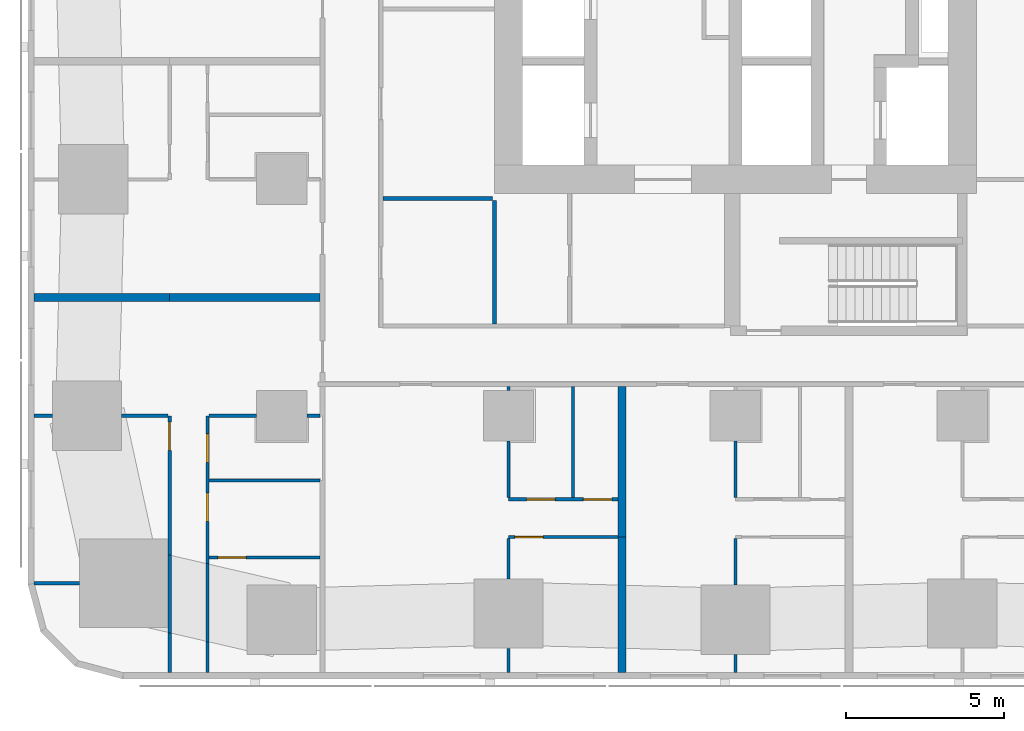
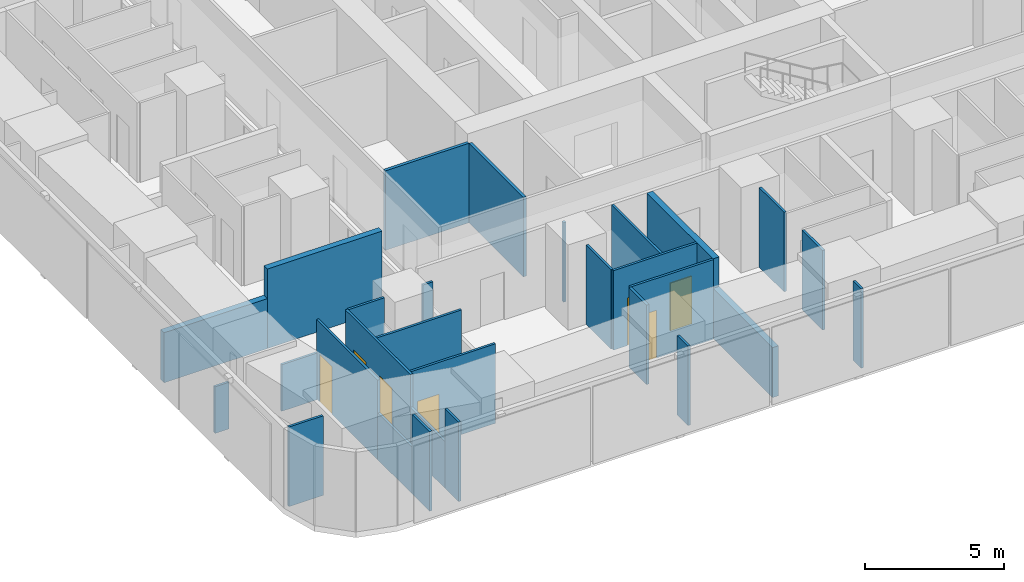
# One storey, part 2 of 16: 29 walls, 7 doors, 7 openings.
"""IFC4 building model written with IfcOpenShell, lengths in metres."""

from ifc_helpers import new_model, si_unit, direction, frame, frame_2d, origin, place, context, subcontext, project, spatial, rectangle, extrude, material, layer, layer_set, type_object, element, fill, save


model = new_model("IFC4")

# Units and contexts
model_context = context("Model", 3, precision=1e-05, world=origin(), true_north=direction((0.0, 1.0)))
body_context = subcontext(model_context, "Body", "Model", "MODEL_VIEW")
ifc_project = project(units=[si_unit("LENGTHUNIT", "METRE"), si_unit("AREAUNIT", "SQUARE_METRE"), si_unit("VOLUMEUNIT", "CUBIC_METRE"), si_unit("PLANEANGLEUNIT", "RADIAN"), si_unit("MASSUNIT", "GRAM", prefix="KILO")], contexts=[model_context])

# Site, building, storey
site_placement = place(None, origin())
site = spatial("IfcSite", under=ifc_project, at=site_placement, CompositionType="ELEMENT")
building_placement = place(site_placement, origin())
building = spatial("IfcBuilding", under=site, at=building_placement, Name="Sheger Commons Tower", CompositionType="ELEMENT")
storey_placement = place(building_placement, frame((0.0, 0.0, 89.14990234375)))
storey = spatial("IfcBuildingStorey", under=building, at=storey_placement, Name="L22", CompositionType="ELEMENT", Elevation=89.14990234375)

# Walls
ifc_material_1 = material(Name="Dense concrete block masonry, plastered both sides (separating wall between flats)", Category="masonry")
ifc_layer_1 = layer(ifc_material_1, 0.25)
ifc_layer_set_1 = layer_set([ifc_layer_1], Name="DEMISING WALL 250")
wall_type_1 = type_object("IfcWallType", Name="DEMISING WALL 250", PredefinedType="SOLIDWALL", material=ifc_layer_set_1)
wall_1_placement = place(storey_placement, frame((-0.64990234375, 11.25, 0.0), z_axis=(0.0, 0.0, 1.0), x_axis=(1.0, 0.0, 0.0)))
element("IfcWall", 1, at=wall_1_placement, inside=storey, type_object=wall_type_1, Name="Demising wall L22", PredefinedType="SOLIDWALL", context=body_context, shape_type="SweptSolid", body=[
    extrude(rectangle(XDim=4.2998046875, YDim=0.25, at=frame_2d((2.14990234375, 0.0))), origin(), (0.0, 0.0, 1.0), 2.2001953125),
])
wall_2_placement = place(storey_placement, frame((3.64990234375, 11.25, 0.0), z_axis=(0.0, 0.0, 1.0), x_axis=(1.0, 0.0, 0.0)))
element("IfcWall", 2, at=wall_2_placement, inside=storey, type_object=wall_type_1, Name="Demising wall L22", PredefinedType="SOLIDWALL", context=body_context, shape_type="SweptSolid", body=[
    extrude(rectangle(XDim=4.775146484375, YDim=0.25, at=frame_2d((2.3876953125, 0.0))), origin(), (0.0, 0.0, 1.0), 3.5),
])
wall_3_placement = place(storey_placement, frame((18.0, -0.64990234375, 0.0), z_axis=(0.0, 0.0, 1.0), x_axis=(0.0, 1.0, 0.0)))
element("IfcWall", 3, at=wall_3_placement, inside=storey, type_object=wall_type_1, Name="Demising wall L22", PredefinedType="SOLIDWALL", context=body_context, shape_type="SweptSolid", body=[
    extrude(rectangle(XDim=4.2998046875, YDim=0.25, at=frame_2d((2.14990234375, 0.0))), origin(), (0.0, 0.0, 1.0), 2.2001953125),
])
wall_4_placement = place(storey_placement, frame((18.0, 3.64990234375, 0.0), z_axis=(0.0, 0.0, 1.0), x_axis=(0.0, 1.0, 0.0)))
element("IfcWall", 4, at=wall_4_placement, inside=storey, type_object=wall_type_1, Name="Demising wall L22", PredefinedType="SOLIDWALL", context=body_context, shape_type="SweptSolid", body=[
    extrude(rectangle(XDim=4.775146484375, YDim=0.25, at=frame_2d((2.3876953125, 0.0))), origin(), (0.0, 0.0, 1.0), 3.5),
])
ifc_material_2 = material(Name="Gypsum board on steel studs", Category="steel")
ifc_layer_2 = layer(ifc_material_2, 0.10009765625)
ifc_layer_set_2 = layer_set([ifc_layer_2], Name="PARTITION 100")
wall_type_2 = type_object("IfcWallType", Name="PARTITION 100", PredefinedType="PARTITIONING", material=ifc_layer_set_2)
wall_5_placement = place(storey_placement, frame((3.64990234375, -0.64990234375, 0.0), z_axis=(0.0, 0.0, 1.0), x_axis=(0.0, 1.0, 0.0)))
element("IfcWall", 5, at=wall_5_placement, inside=storey, type_object=wall_type_2, Name="Partition L22", PredefinedType="PARTITIONING", context=body_context, shape_type="SweptSolid", body=[
    extrude(rectangle(XDim=1.25390625, YDim=0.10009765625, at=frame_2d((0.626953125, 0.0))), origin(), (0.0, 0.0, 1.0), 3.5),
])
wall_6_placement = place(storey_placement, frame((3.64990234375, 0.60400390625, 0.0), z_axis=(0.0, 0.0, 1.0), x_axis=(0.0, 1.0, 0.0)))
element("IfcWall", 6, at=wall_6_placement, inside=storey, type_object=wall_type_2, Name="Partition L22", PredefinedType="PARTITIONING", context=body_context, shape_type="SweptSolid", body=[
    extrude(rectangle(XDim=2.486083984375, YDim=0.10009765625, at=frame_2d((1.2431640625, 0.0))), origin(), (0.0, 0.0, 1.0), 2.050048828125),
])

# Wall, opening, door
wall_7_placement = place(storey_placement, frame((3.64990234375, 3.090087890625, 0.0), z_axis=(0.0, 0.0, 1.0), x_axis=(0.0, 1.0, 0.0)))
wall_7 = element("IfcWall", 7, at=wall_7_placement, inside=storey, type_object=wall_type_2, Name="Partition L22", PredefinedType="PARTITIONING", context=body_context, shape_type="SweptSolid", body=[
    extrude(rectangle(XDim=4.409912109375, YDim=0.10009765625, at=frame_2d((2.205078125, 0.0))), origin(), (0.0, 0.0, 1.0), 3.5),
])
opening_1_placement = place(wall_7_placement, frame((3.31005859375, 0.0, 0.0)))
opening_1 = element("IfcOpeningElement", 8, at=opening_1_placement, cuts=wall_7, Name="Opening D2", PredefinedType="OPENING", context=body_context, shape_type="SweptSolid", body=[
    extrude(rectangle(XDim=0.89990234375, YDim=2.10009765625, at=frame_2d((0.449951171875, 1.050048828125))), frame((0.0, 0.06005859375, 0.0), z_axis=(0.0, -1.0, 0.0), x_axis=(1.0, 0.0, 0.0)), (0.0, 0.0, 1.0), 0.1201171875),
])
ifc_material_3 = material(Name="Timber door set", Category="wood")
door_type = type_object("IfcDoorType", Name="INTERNAL DOOR 900x2100", OperationType="NOTDEFINED", PredefinedType="DOOR", material=ifc_material_3)
door_1_placement = place(opening_1_placement, origin())
door_1 = element("IfcDoor", 9, at=door_1_placement, inside=storey, type_object=door_type, Name="Main bedroom door", OperationType="SINGLE_SWING_RIGHT", OverallHeight=2.10009765625, OverallWidth=0.89990234375, PredefinedType="DOOR", context=body_context, shape_type="SweptSolid", body=[
    extrude(rectangle(XDim=0.89990234375, YDim=2.10009765625, at=frame_2d((0.449951171875, 1.050048828125))), frame((0.0, 0.02490234375, 0.0), z_axis=(0.0, -1.0, 0.0), x_axis=(1.0, 0.0, 0.0)), (0.0, 0.0, 1.0), 0.050048828125),
])
fill(opening_1, door_1)

# Walls
wall_8_placement = place(storey_placement, frame((4.85009765625, -0.64990234375, 0.0), z_axis=(0.0, 0.0, 1.0), x_axis=(0.0, 1.0, 0.0)))
element("IfcWall", 10, at=wall_8_placement, inside=storey, type_object=wall_type_2, Name="Partition L22", PredefinedType="PARTITIONING", context=body_context, shape_type="SweptSolid", body=[
    extrude(rectangle(XDim=0.975830078125, YDim=0.10009765625, at=frame_2d((0.48779296875, 0.0))), origin(), (0.0, 0.0, 1.0), 3.5),
])
wall_9_placement = place(storey_placement, frame((4.85009765625, 0.325927734375, 0.0), z_axis=(0.0, 0.0, 1.0), x_axis=(0.0, 1.0, 0.0)))
element("IfcWall", 11, at=wall_9_placement, inside=storey, type_object=wall_type_2, Name="Partition L22", PredefinedType="PARTITIONING", context=body_context, shape_type="SweptSolid", body=[
    extrude(rectangle(XDim=2.486083984375, YDim=0.10009765625, at=frame_2d((1.2431640625, 0.0))), origin(), (0.0, 0.0, 1.0), 2.050048828125),
])

# Wall, openings, doors
wall_10_placement = place(storey_placement, frame((4.85009765625, 2.81201171875, 0.0), z_axis=(0.0, 0.0, 1.0), x_axis=(0.0, 1.0, 0.0)))
wall_10 = element("IfcWall", 12, at=wall_10_placement, inside=storey, type_object=wall_type_2, Name="Partition L22", PredefinedType="PARTITIONING", context=body_context, shape_type="SweptSolid", body=[
    extrude(rectangle(XDim=4.68798828125, YDim=0.10009765625, at=frame_2d((2.343994140625, 0.0))), origin(), (0.0, 0.0, 1.0), 3.5),
])
opening_2_placement = place(wall_10_placement, frame((3.212890625, 0.0, 0.0)))
opening_2 = element("IfcOpeningElement", 13, at=opening_2_placement, cuts=wall_10, Name="Opening D2", PredefinedType="OPENING", context=body_context, shape_type="SweptSolid", body=[
    extrude(rectangle(XDim=0.89990234375, YDim=2.10009765625, at=frame_2d((0.449951171875, 1.050048828125))), frame((0.0, 0.06005859375, 0.0), z_axis=(0.0, -1.0, 0.0), x_axis=(1.0, 0.0, 0.0)), (0.0, 0.0, 1.0), 0.1201171875),
])
opening_3_placement = place(wall_10_placement, frame((1.337890625, 0.0, 0.0)))
opening_3 = element("IfcOpeningElement", 14, at=opening_3_placement, cuts=wall_10, Name="Opening D2", PredefinedType="OPENING", context=body_context, shape_type="SweptSolid", body=[
    extrude(rectangle(XDim=0.89990234375, YDim=2.10009765625, at=frame_2d((0.449951171875, 1.050048828125))), frame((0.0, 0.06005859375, 0.0), z_axis=(0.0, -1.0, 0.0), x_axis=(1.0, 0.0, 0.0)), (0.0, 0.0, 1.0), 0.1201171875),
])
door_2_placement = place(opening_2_placement, origin())
door_2 = element("IfcDoor", 15, at=door_2_placement, inside=storey, type_object=door_type, Name="Bathroom door", OperationType="SINGLE_SWING_LEFT", OverallHeight=2.10009765625, OverallWidth=0.89990234375, PredefinedType="DOOR", context=body_context, shape_type="SweptSolid", body=[
    extrude(rectangle(XDim=0.89990234375, YDim=2.10009765625, at=frame_2d((0.449951171875, 1.050048828125))), frame((0.0, 0.02490234375, 0.0), z_axis=(0.0, -1.0, 0.0), x_axis=(1.0, 0.0, 0.0)), (0.0, 0.0, 1.0), 0.050048828125),
])
fill(opening_2, door_2)
door_3_placement = place(opening_3_placement, origin())
door_3 = element("IfcDoor", 16, at=door_3_placement, inside=storey, type_object=door_type, Name="Store door", OperationType="SINGLE_SWING_LEFT", OverallHeight=2.10009765625, OverallWidth=0.89990234375, PredefinedType="DOOR", context=body_context, shape_type="SweptSolid", body=[
    extrude(rectangle(XDim=0.89990234375, YDim=2.10009765625, at=frame_2d((0.449951171875, 1.050048828125))), frame((0.0, 0.02490234375, 0.0), z_axis=(0.0, -1.0, 0.0), x_axis=(1.0, 0.0, 0.0)), (0.0, 0.0, 1.0), 0.050048828125),
])
fill(opening_3, door_3)

# Walls
wall_11_placement = place(storey_placement, frame((-0.64990234375, 2.18603515625, 0.0), z_axis=(0.0, 0.0, 1.0), x_axis=(1.0, 0.0, 0.0)))
element("IfcWall", 17, at=wall_11_placement, inside=storey, type_object=wall_type_2, Name="Partition L22", PredefinedType="PARTITIONING", context=body_context, shape_type="SweptSolid", body=[
    extrude(rectangle(XDim=1.434814453125, YDim=0.10009765625, at=frame_2d((0.71728515625, 0.0))), origin(), (0.0, 0.0, 1.0), 3.5),
])
wall_12_placement = place(storey_placement, frame((-0.64990234375, 7.5, 0.0), z_axis=(0.0, 0.0, 1.0), x_axis=(1.0, 0.0, 0.0)))
element("IfcWall", 18, at=wall_12_placement, inside=storey, type_object=wall_type_2, Name="Partition L22", PredefinedType="PARTITIONING", context=body_context, shape_type="SweptSolid", body=[
    extrude(rectangle(XDim=0.573974609375, YDim=0.10009765625, at=frame_2d((0.287109375, 0.0))), origin(), (0.0, 0.0, 1.0), 2.050048828125),
])
wall_13_placement = place(storey_placement, frame((2.1259765625, 7.5, 0.0), z_axis=(0.0, 0.0, 1.0), x_axis=(1.0, 0.0, 0.0)))
element("IfcWall", 19, at=wall_13_placement, inside=storey, type_object=wall_type_2, Name="Partition L22", PredefinedType="PARTITIONING", context=body_context, shape_type="SweptSolid", body=[
    extrude(rectangle(XDim=1.47412109375, YDim=0.10009765625, at=frame_2d((0.737060546875, 0.0))), origin(), (0.0, 0.0, 1.0), 2.050048828125),
])
wall_14_placement = place(storey_placement, frame((4.89990234375, 7.5, 0.0), z_axis=(0.0, 0.0, 1.0), x_axis=(1.0, 0.0, 0.0)))
element("IfcWall", 20, at=wall_14_placement, inside=storey, type_object=wall_type_2, Name="Partition L22", PredefinedType="PARTITIONING", context=body_context, shape_type="SweptSolid", body=[
    extrude(rectangle(XDim=1.4990234375, YDim=0.10009765625, at=frame_2d((0.74951171875, 0.0))), origin(), (0.0, 0.0, 1.0), 3.5),
])
wall_15_placement = place(storey_placement, frame((8.0009765625, 7.5, 0.0), z_axis=(0.0, 0.0, 1.0), x_axis=(1.0, 0.0, 0.0)))
element("IfcWall", 21, at=wall_15_placement, inside=storey, type_object=wall_type_2, Name="Partition L22", PredefinedType="PARTITIONING", context=body_context, shape_type="SweptSolid", body=[
    extrude(rectangle(XDim=0.424072265625, YDim=0.10009765625, at=frame_2d((0.2119140625, 0.0))), origin(), (0.0, 0.0, 1.0), 3.5),
])
wall_16_placement = place(storey_placement, frame((4.89990234375, 5.449951171875, 0.0), z_axis=(0.0, 0.0, 1.0), x_axis=(1.0, 0.0, 0.0)))
element("IfcWall", 22, at=wall_16_placement, inside=storey, type_object=wall_type_2, Name="Partition L22", PredefinedType="PARTITIONING", context=body_context, shape_type="SweptSolid", body=[
    extrude(rectangle(XDim=3.525146484375, YDim=0.10009765625, at=frame_2d((1.7626953125, 0.0))), origin(), (0.0, 0.0, 1.0), 3.5),
])

# Wall, opening, door
wall_17_placement = place(storey_placement, frame((17.875, 3.64990234375, 0.0), z_axis=(0.0, 0.0, 1.0), x_axis=(-1.0, 0.0, 0.0)))
wall_17 = element("IfcWall", 23, at=wall_17_placement, inside=storey, type_object=wall_type_2, Name="Partition L22", PredefinedType="PARTITIONING", context=body_context, shape_type="SweptSolid", body=[
    extrude(rectangle(XDim=3.47509765625, YDim=0.10009765625, at=frame_2d((1.737548828125, 0.0))), origin(), (0.0, 0.0, 1.0), 3.5),
])
opening_4_placement = place(wall_17_placement, frame((2.375, 0.0, 0.0)))
opening_4 = element("IfcOpeningElement", 24, at=opening_4_placement, cuts=wall_17, Name="Opening D2", PredefinedType="OPENING", context=body_context, shape_type="SweptSolid", body=[
    extrude(rectangle(XDim=0.89990234375, YDim=2.10009765625, at=frame_2d((0.449951171875, 1.050048828125))), frame((0.0, 0.06005859375, 0.0), z_axis=(0.0, -1.0, 0.0), x_axis=(1.0, 0.0, 0.0)), (0.0, 0.0, 1.0), 0.1201171875),
])
door_4_placement = place(opening_4_placement, origin())
door_4 = element("IfcDoor", 25, at=door_4_placement, inside=storey, type_object=door_type, Name="Main bedroom door", OperationType="SINGLE_SWING_RIGHT", OverallHeight=2.10009765625, OverallWidth=0.89990234375, PredefinedType="DOOR", context=body_context, shape_type="SweptSolid", body=[
    extrude(rectangle(XDim=0.89990234375, YDim=2.10009765625, at=frame_2d((0.449951171875, 1.050048828125))), frame((0.0, 0.02490234375, 0.0), z_axis=(0.0, -1.0, 0.0), x_axis=(1.0, 0.0, 0.0)), (0.0, 0.0, 1.0), 0.050048828125),
])
fill(opening_4, door_4)

# Wall, openings, doors
wall_18_placement = place(storey_placement, frame((17.875, 4.85009765625, 0.0), z_axis=(0.0, 0.0, 1.0), x_axis=(-1.0, 0.0, 0.0)))
wall_18 = element("IfcWall", 26, at=wall_18_placement, inside=storey, type_object=wall_type_2, Name="Partition L22", PredefinedType="PARTITIONING", context=body_context, shape_type="SweptSolid", body=[
    extrude(rectangle(XDim=3.47509765625, YDim=0.10009765625, at=frame_2d((1.737548828125, 0.0))), origin(), (0.0, 0.0, 1.0), 3.5),
])
opening_5_placement = place(wall_18_placement, frame((2.0, 0.0, 0.0)))
opening_5 = element("IfcOpeningElement", 27, at=opening_5_placement, cuts=wall_18, Name="Opening D2", PredefinedType="OPENING", context=body_context, shape_type="SweptSolid", body=[
    extrude(rectangle(XDim=0.89990234375, YDim=2.10009765625, at=frame_2d((0.449951171875, 1.050048828125))), frame((0.0, 0.06005859375, 0.0), z_axis=(0.0, -1.0, 0.0), x_axis=(1.0, 0.0, 0.0)), (0.0, 0.0, 1.0), 0.1201171875),
])
opening_6_placement = place(wall_18_placement, frame((0.199951171875, 0.0, 0.0)))
opening_6 = element("IfcOpeningElement", 28, at=opening_6_placement, cuts=wall_18, Name="Opening D2", PredefinedType="OPENING", context=body_context, shape_type="SweptSolid", body=[
    extrude(rectangle(XDim=0.89990234375, YDim=2.10009765625, at=frame_2d((0.449951171875, 1.050048828125))), frame((0.0, 0.06005859375, 0.0), z_axis=(0.0, -1.0, 0.0), x_axis=(1.0, 0.0, 0.0)), (0.0, 0.0, 1.0), 0.1201171875),
])
door_5_placement = place(opening_5_placement, origin())
door_5 = element("IfcDoor", 29, at=door_5_placement, inside=storey, type_object=door_type, Name="Bathroom door", OperationType="SINGLE_SWING_LEFT", OverallHeight=2.10009765625, OverallWidth=0.89990234375, PredefinedType="DOOR", context=body_context, shape_type="SweptSolid", body=[
    extrude(rectangle(XDim=0.89990234375, YDim=2.10009765625, at=frame_2d((0.449951171875, 1.050048828125))), frame((0.0, 0.02490234375, 0.0), z_axis=(0.0, -1.0, 0.0), x_axis=(1.0, 0.0, 0.0)), (0.0, 0.0, 1.0), 0.050048828125),
])
fill(opening_5, door_5)
door_6_placement = place(opening_6_placement, origin())
door_6 = element("IfcDoor", 30, at=door_6_placement, inside=storey, type_object=door_type, Name="Store door", OperationType="SINGLE_SWING_RIGHT", OverallHeight=2.10009765625, OverallWidth=0.89990234375, PredefinedType="DOOR", context=body_context, shape_type="SweptSolid", body=[
    extrude(rectangle(XDim=0.89990234375, YDim=2.10009765625, at=frame_2d((0.449951171875, 1.050048828125))), frame((0.0, 0.02490234375, 0.0), z_axis=(0.0, -1.0, 0.0), x_axis=(1.0, 0.0, 0.0)), (0.0, 0.0, 1.0), 0.050048828125),
])
fill(opening_6, door_6)

# Walls
wall_19_placement = place(storey_placement, frame((14.39990234375, -0.64990234375, 0.0), z_axis=(0.0, 0.0, 1.0), x_axis=(0.0, 1.0, 0.0)))
element("IfcWall", 31, at=wall_19_placement, inside=storey, type_object=wall_type_2, Name="Partition L22", PredefinedType="PARTITIONING", context=body_context, shape_type="SweptSolid", body=[
    extrude(rectangle(XDim=0.77392578125, YDim=0.10009765625, at=frame_2d((0.386962890625, 0.0))), origin(), (0.0, 0.0, 1.0), 3.5),
])
wall_20_placement = place(storey_placement, frame((14.39990234375, 2.325927734375, 0.0), z_axis=(0.0, 0.0, 1.0), x_axis=(0.0, 1.0, 0.0)))
element("IfcWall", 32, at=wall_20_placement, inside=storey, type_object=wall_type_2, Name="Partition L22", PredefinedType="PARTITIONING", context=body_context, shape_type="SweptSolid", body=[
    extrude(rectangle(XDim=1.274169921875, YDim=0.10009765625, at=frame_2d((0.63720703125, 0.0))), origin(), (0.0, 0.0, 1.0), 3.5),
])
wall_21_placement = place(storey_placement, frame((14.39990234375, 4.89990234375, 0.0), z_axis=(0.0, 0.0, 1.0), x_axis=(0.0, 1.0, 0.0)))
element("IfcWall", 33, at=wall_21_placement, inside=storey, type_object=wall_type_2, Name="Partition L22", PredefinedType="PARTITIONING", context=body_context, shape_type="SweptSolid", body=[
    extrude(rectangle(XDim=1.799072265625, YDim=0.10009765625, at=frame_2d((0.8994140625, 0.0))), origin(), (0.0, 0.0, 1.0), 3.5),
])
wall_22_placement = place(storey_placement, frame((14.39990234375, 8.301025390625, 0.0), z_axis=(0.0, 0.0, 1.0), x_axis=(0.0, 1.0, 0.0)))
element("IfcWall", 34, at=wall_22_placement, inside=storey, type_object=wall_type_2, Name="Partition L22", PredefinedType="PARTITIONING", context=body_context, shape_type="SweptSolid", body=[
    extrude(rectangle(XDim=0.1240234375, YDim=0.10009765625, at=frame_2d((0.06201171875, 0.0))), origin(), (0.0, 0.0, 1.0), 3.5),
])
wall_23_placement = place(storey_placement, frame((16.449951171875, 4.89990234375, 0.0), z_axis=(0.0, 0.0, 1.0), x_axis=(0.0, 1.0, 0.0)))
element("IfcWall", 35, at=wall_23_placement, inside=storey, type_object=wall_type_2, Name="Partition L22", PredefinedType="PARTITIONING", context=body_context, shape_type="SweptSolid", body=[
    extrude(rectangle(XDim=3.525146484375, YDim=0.10009765625, at=frame_2d((1.7626953125, 0.0))), origin(), (0.0, 0.0, 1.0), 3.5),
])
wall_24_placement = place(storey_placement, frame((21.60009765625, -0.64990234375, 0.0), z_axis=(0.0, 0.0, 1.0), x_axis=(0.0, 1.0, 0.0)))
element("IfcWall", 36, at=wall_24_placement, inside=storey, type_object=wall_type_2, Name="Partition L22", PredefinedType="PARTITIONING", context=body_context, shape_type="SweptSolid", body=[
    extrude(rectangle(XDim=0.573974609375, YDim=0.10009765625, at=frame_2d((0.287109375, 0.0))), origin(), (0.0, 0.0, 1.0), 3.5),
])
wall_25_placement = place(storey_placement, frame((21.60009765625, 2.1259765625, 0.0), z_axis=(0.0, 0.0, 1.0), x_axis=(0.0, 1.0, 0.0)))
element("IfcWall", 37, at=wall_25_placement, inside=storey, type_object=wall_type_2, Name="Partition L22", PredefinedType="PARTITIONING", context=body_context, shape_type="SweptSolid", body=[
    extrude(rectangle(XDim=1.47412109375, YDim=0.10009765625, at=frame_2d((0.737060546875, 0.0))), origin(), (0.0, 0.0, 1.0), 3.5),
])
wall_26_placement = place(storey_placement, frame((21.60009765625, 4.89990234375, 0.0), z_axis=(0.0, 0.0, 1.0), x_axis=(0.0, 1.0, 0.0)))
element("IfcWall", 38, at=wall_26_placement, inside=storey, type_object=wall_type_2, Name="Partition L22", PredefinedType="PARTITIONING", context=body_context, shape_type="SweptSolid", body=[
    extrude(rectangle(XDim=1.799072265625, YDim=0.10009765625, at=frame_2d((0.8994140625, 0.0))), origin(), (0.0, 0.0, 1.0), 3.5),
])

# Wall, opening, door
wall_27_placement = place(storey_placement, frame((8.425048828125, 3.0, 0.0), z_axis=(0.0, 0.0, 1.0), x_axis=(-1.0, 0.0, 0.0)))
wall_27 = element("IfcWall", 39, at=wall_27_placement, inside=storey, type_object=wall_type_2, Name="Partition L22", PredefinedType="PARTITIONING", context=body_context, shape_type="SweptSolid", body=[
    extrude(rectangle(XDim=3.525146484375, YDim=0.10009765625, at=frame_2d((1.7626953125, 0.0))), origin(), (0.0, 0.0, 1.0), 3.5),
])
opening_7_placement = place(wall_27_placement, frame((2.35009765625, 0.0, 0.0)))
opening_7 = element("IfcOpeningElement", 40, at=opening_7_placement, cuts=wall_27, Name="Opening D2", PredefinedType="OPENING", context=body_context, shape_type="SweptSolid", body=[
    extrude(rectangle(XDim=0.89990234375, YDim=2.10009765625, at=frame_2d((0.449951171875, 1.050048828125))), frame((0.0, 0.06005859375, 0.0), z_axis=(0.0, -1.0, 0.0), x_axis=(1.0, 0.0, 0.0)), (0.0, 0.0, 1.0), 0.1201171875),
])
door_7_placement = place(opening_7_placement, origin())
door_7 = element("IfcDoor", 41, at=door_7_placement, inside=storey, type_object=door_type, Name="Store door", OperationType="SINGLE_SWING_RIGHT", OverallHeight=2.10009765625, OverallWidth=0.89990234375, PredefinedType="DOOR", context=body_context, shape_type="SweptSolid", body=[
    extrude(rectangle(XDim=0.89990234375, YDim=2.10009765625, at=frame_2d((0.449951171875, 1.050048828125))), frame((0.0, 0.02490234375, 0.0), z_axis=(0.0, -1.0, 0.0), x_axis=(1.0, 0.0, 0.0)), (0.0, 0.0, 1.0), 0.050048828125),
])
fill(opening_7, door_7)

# Walls
ifc_material_4 = material(Name="Gypsum board on steel studs, two layers each side, fire rated", Category="steel")
ifc_layer_3 = layer(ifc_material_4, 0.125)
ifc_layer_set_3 = layer_set([ifc_layer_3], Name="SERVICE WALL 125")
wall_type_3 = type_object("IfcWallType", Name="SERVICE WALL 125", PredefinedType="PARTITIONING", material=ifc_layer_set_3)
wall_28_placement = place(storey_placement, frame((10.4130859375, 14.39990234375, 0.0), z_axis=(0.0, 0.0, 1.0), x_axis=(1.0, 0.0, 0.0)))
element("IfcWall", 42, at=wall_28_placement, inside=storey, type_object=wall_type_3, Name="Service room wall L22", PredefinedType="PARTITIONING", context=body_context, shape_type="SweptSolid", body=[
    extrude(rectangle(XDim=3.474853515625, YDim=0.125, at=frame_2d((1.7373046875, 0.0))), origin(), (0.0, 0.0, 1.0), 3.5),
])
wall_29_placement = place(storey_placement, frame((13.949951171875, 10.4130859375, 0.0), z_axis=(0.0, 0.0, 1.0), x_axis=(0.0, 1.0, 0.0)))
element("IfcWall", 43, at=wall_29_placement, inside=storey, type_object=wall_type_3, Name="Service room wall L22", PredefinedType="PARTITIONING", context=body_context, shape_type="SweptSolid", body=[
    extrude(rectangle(XDim=3.9248046875, YDim=0.125, at=frame_2d((1.96240234375, 0.0))), origin(), (0.0, 0.0, 1.0), 3.5),
])

save(model, "model.ifc")
